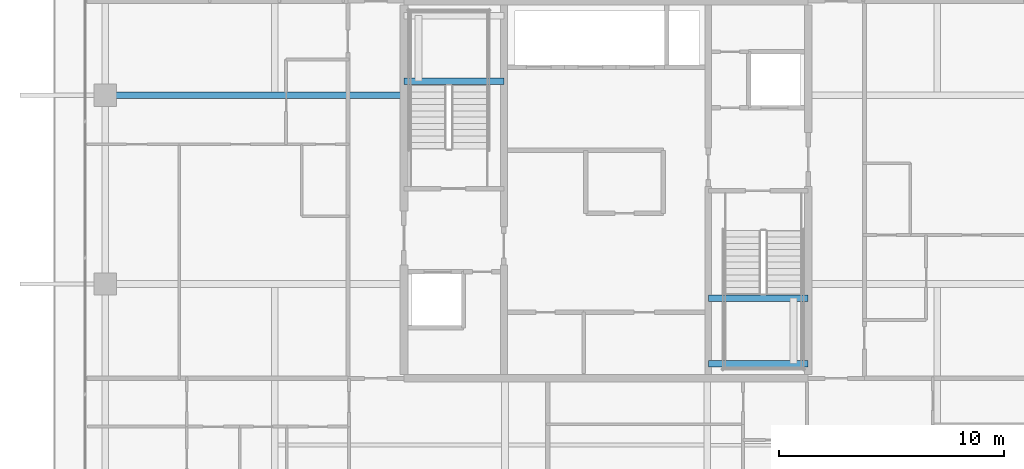
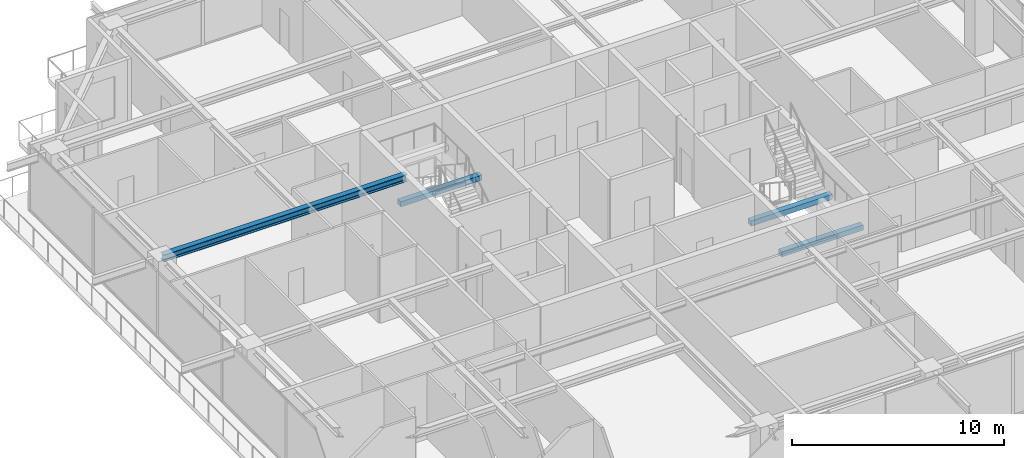
# One storey, part 10 of 41: 4 beams.
"""IFC4 building model written with IfcOpenShell, lengths in metres."""

import ifcopenshell
import ifcopenshell.guid

model = None  # the IFC model being written
_history = None  # IfcOwnerHistory: only IFC2X3 demands one
_inside = {}  # id of a spatial element -> (the spatial element, [elements in it])
_under = {}  # id of a project, library or spatial element -> (it, [spatial elements below it])
_declared = {}  # id of a project -> (the project, [libraries it declares])
_typed = {}  # id of a type object -> (the type object, [elements of that type])
_made_of = {}  # id of a material, layer set ... -> (it, [elements and type objects made of it])


def new_model(schema):
    """Start an empty IFC model of exactly this schema.

    Asked for "IFC4X3", IfcOpenShell would pick the latest addendum, in which some entities
    have other attributes; the version numbers below select the first issue.
    IFC2X3 requires an IfcOwnerHistory on every rooted entity: one is made here for all.
    """
    global model, _history
    if schema == "IFC4X3":
        model = ifcopenshell.file(schema_version=(4, 3, 0, 0))
    else:
        model = ifcopenshell.file(schema=schema)
    _inside.clear()
    _under.clear()
    _declared.clear()
    _typed.clear()
    _made_of.clear()
    _history = None
    if model.schema == "IFC2X3":
        org = make("IfcOrganization", Name="unknown")
        user = make(
            "IfcPersonAndOrganization",
            ThePerson=make("IfcPerson", FamilyName="unknown"),
            TheOrganization=org,
        )
        app = make(
            "IfcApplication",
            ApplicationDeveloper=org,
            Version="unknown",
            ApplicationFullName="unknown",
            ApplicationIdentifier="unknown",
        )
        _history = make(
            "IfcOwnerHistory",
            OwningUser=user,
            OwningApplication=app,
            ChangeAction="ADDED",
            CreationDate=0,
        )
    return model


def make(cls, **values):
    """One entity of the class cls with the attributes given. An attribute that is None is left unset."""
    return model.create_entity(
        cls, **{name: value for name, value in values.items() if value is not None}
    )


def rooted(cls, **values):
    """An entity with a GlobalId (a new one), such as an element, a storey or a relation."""
    return make(cls, GlobalId=ifcopenshell.guid.new(), OwnerHistory=_history, **values)


def si_unit(unit_type, name, prefix=None):
    """IfcSIUnit, for example si_unit("LENGTHUNIT", "METRE", prefix="MILLI")."""
    return make("IfcSIUnit", UnitType=unit_type, Prefix=prefix, Name=name)


def assignment(units):
    """IfcUnitAssignment: the units of a project."""
    return None if units is None else make("IfcUnitAssignment", Units=units)


def point(xyz):
    """IfcCartesianPoint."""
    return None if xyz is None else make("IfcCartesianPoint", Coordinates=xyz)


def direction(xyz):
    """IfcDirection."""
    return None if xyz is None else make("IfcDirection", DirectionRatios=xyz)


def frame(location, z_axis=None, x_axis=None):
    """IfcAxis2Placement3D, a coordinate frame: its origin and axes. An axis left out is left unset."""
    return make(
        "IfcAxis2Placement3D",
        Location=point(location),
        Axis=direction(z_axis),
        RefDirection=direction(x_axis),
    )


def frame_2d(location, x_axis=None):
    """IfcAxis2Placement2D, a coordinate frame in the plane: its origin and x axis."""
    return make(
        "IfcAxis2Placement2D", Location=point(location), RefDirection=direction(x_axis)
    )


def origin():
    """The frame at (0, 0, 0) with its axes left unset."""
    return frame((0.0, 0.0, 0.0))


def origin_2d():
    """The frame at (0, 0) in the plane with its x axis left unset."""
    return frame_2d((0.0, 0.0))


def place(relative_to, where):
    """IfcLocalPlacement: puts the frame where relative to a parent placement (None: the world)."""
    return make(
        "IfcLocalPlacement", PlacementRelTo=relative_to, RelativePlacement=where
    )


def context(
    kind, dimensions, precision=None, world=None, true_north=None, identifier=None
):
    """IfcGeometricRepresentationContext, for example the 3D "Model" context."""
    return make(
        "IfcGeometricRepresentationContext",
        ContextIdentifier=identifier,
        ContextType=kind,
        CoordinateSpaceDimension=dimensions,
        Precision=precision,
        WorldCoordinateSystem=world,
        TrueNorth=true_north,
    )


def subcontext(parent, identifier, kind, view, scale=None):
    """IfcGeometricRepresentationSubContext, for example "Body" below "Model"."""
    return make(
        "IfcGeometricRepresentationSubContext",
        ContextIdentifier=identifier,
        ContextType=kind,
        ParentContext=parent,
        TargetScale=scale,
        TargetView=view,
    )


def project(units=None, contexts=None):
    """IfcProject with its units and contexts."""
    return rooted(
        "IfcProject",
        Name="project",
        RepresentationContexts=contexts,
        UnitsInContext=assignment(units),
    )


def spatial(cls, under=None, at=None, **own):
    """A site, building, storey or space (cls), placed at a placement, below another one or the project."""
    s = rooted(cls, ObjectPlacement=at, **own)
    if under is not None:
        _under.setdefault(under.id(), (under, []))[1].append(s)
    return s


def profile(cls, at=None, kind="AREA", **sizes):
    """A parametric profile (cls). Its sizes go by their IFC names, for example OverallWidth=200.0."""
    return make(cls, ProfileType=kind, Position=at, **sizes)


def rectangle(**sizes):
    """IfcRectangleProfileDef."""
    return profile("IfcRectangleProfileDef", **sizes)


def i_section(**sizes):
    """IfcIShapeProfileDef."""
    return profile("IfcIShapeProfileDef", **sizes)


def extrude(swept, where, along, depth):
    """IfcExtrudedAreaSolid: the profile swept, set in the frame where, extruded along a direction by depth."""
    return make(
        "IfcExtrudedAreaSolid",
        SweptArea=swept,
        Position=where,
        ExtrudedDirection=direction(along),
        Depth=depth,
    )


def shape(context_of_items, identifier, shape_type, items):
    """IfcShapeRepresentation: the items that make up one representation, for example the "Body"."""
    return make(
        "IfcShapeRepresentation",
        ContextOfItems=context_of_items,
        RepresentationIdentifier=identifier,
        RepresentationType=shape_type,
        Items=items,
    )


def source(mapping_origin, context_of_items, identifier, shape_type, items):
    """IfcRepresentationMap: a shape defined once, which mapped items show again and again."""
    return make(
        "IfcRepresentationMap",
        MappingOrigin=mapping_origin,
        MappedRepresentation=shape(context_of_items, identifier, shape_type, items),
    )


def transform(
    local_origin,
    x_axis=None,
    y_axis=None,
    z_axis=None,
    scale=None,
    scale2=None,
    scale3=None,
    uniform=True,
):
    """IfcCartesianTransformationOperator3D, or its non-uniform kind. x_axis, y_axis, z_axis: its Axis1, 2, 3."""
    if uniform:
        return make(
            "IfcCartesianTransformationOperator3D",
            Axis1=direction(x_axis),
            Axis2=direction(y_axis),
            LocalOrigin=point(local_origin),
            Scale=scale,
            Axis3=direction(z_axis),
        )
    return make(
        "IfcCartesianTransformationOperator3DnonUniform",
        Axis1=direction(x_axis),
        Axis2=direction(y_axis),
        LocalOrigin=point(local_origin),
        Scale=scale,
        Axis3=direction(z_axis),
        Scale2=scale2,
        Scale3=scale3,
    )


def mapped(mapping_source, mapping_target):
    """IfcMappedItem: shows the shape of a source again, moved by a transform."""
    return make(
        "IfcMappedItem", MappingSource=mapping_source, MappingTarget=mapping_target
    )


def material(Name=None, Category=None):
    """IfcMaterial."""
    return make("IfcMaterial", Name=Name, Category=Category)


def material_profile(
    of_material, cross_section, Name=None, Category=None, Priority=None
):
    """IfcMaterialProfile: a cross section and its material."""
    return make(
        "IfcMaterialProfile",
        Name=Name,
        Material=of_material,
        Profile=cross_section,
        Priority=Priority,
        Category=Category,
    )


def profile_set(profiles, Name=None, composite=None):
    """IfcMaterialProfileSet."""
    return make(
        "IfcMaterialProfileSet",
        Name=Name,
        MaterialProfiles=profiles,
        CompositeProfile=composite,
    )


def made_of(thing, what):
    """Note that an element or type object is made of a material, layer set ...; save() writes the relation."""
    if what is not None:
        _made_of.setdefault(what.id(), (what, []))[1].append(thing)
    return thing


def type_object(cls, material=None, **own):
    """A type object (cls), such as IfcWallType, which elements share."""
    return made_of(rooted(cls, **own), material)


def element(
    cls,
    number,
    at=None,
    inside=None,
    cuts=None,
    type_object=None,
    material=None,
    context=None,
    identifier="Body",
    shape_type=None,
    held_by="IfcProductDefinitionShape",
    body=None,
    shapes=None,
    **own,
):
    """One element of the class cls, such as IfcWall. Its Tag is "e" and its number.

    at: its placement. inside: the storey or other place that contains it. cuts: it is an
    opening in that element (IfcRelVoidsElement). A single representation is given by context,
    identifier, shape_type and body (its items); several are given by shapes. held_by: the class
    of the entity that holds the representations. save() writes the other relations.
    """
    e = rooted(cls, Tag="e%d" % number, ObjectPlacement=at, **own)
    if body is not None:
        shapes = [shape(context, identifier, shape_type, body)]
    if shapes is not None:
        e.Representation = make(held_by, Representations=shapes)
    if inside is not None:
        _inside.setdefault(inside.id(), (inside, []))[1].append(e)
    if cuts is not None:
        rooted(
            "IfcRelVoidsElement", RelatingBuildingElement=cuts, RelatedOpeningElement=e
        )
    if type_object is not None:
        _typed.setdefault(type_object.id(), (type_object, []))[1].append(e)
    return made_of(e, material)


def aggregate(whole, parts):
    """IfcRelAggregates: a whole, such as a stair, and the parts it consists of."""
    return rooted("IfcRelAggregates", RelatingObject=whole, RelatedObjects=parts)


def save(model, path):
    """Write the relations noted so far, then the file.

    IfcRelAggregates (storeys below a building ...), IfcRelContainedInSpatialStructure (elements
    in a storey), IfcRelDefinesByType, IfcRelAssociatesMaterial and IfcRelDeclares: one each for
    every whole, place, type object, material and project.
    """
    for whole, parts in _under.values():
        aggregate(whole, parts)
    for where, things in _inside.values():
        rooted(
            "IfcRelContainedInSpatialStructure",
            RelatedElements=things,
            RelatingStructure=where,
        )
    for kind, things in _typed.values():
        rooted("IfcRelDefinesByType", RelatedObjects=things, RelatingType=kind)
    for what, things in _made_of.values():
        rooted("IfcRelAssociatesMaterial", RelatedObjects=things, RelatingMaterial=what)
    for by, libraries in _declared.values():
        rooted("IfcRelDeclares", RelatingContext=by, RelatedDefinitions=libraries)
    model.write(path)


model = new_model("IFC4")

# Units and contexts
model_context = context("Model", 3, precision=1e-05, world=origin(), true_north=direction((0.0, 1.0)))
body_context = subcontext(model_context, "Body", "Model", "MODEL_VIEW")
ifc_project = project(units=[si_unit("LENGTHUNIT", "METRE"), si_unit("AREAUNIT", "SQUARE_METRE"), si_unit("VOLUMEUNIT", "CUBIC_METRE"), si_unit("PLANEANGLEUNIT", "RADIAN"), si_unit("MASSUNIT", "GRAM", prefix="KILO")], contexts=[model_context])

# Site, building, storey
site_placement = place(None, origin())
site = spatial("IfcSite", under=ifc_project, at=site_placement, CompositionType="ELEMENT")
building_placement = place(site_placement, origin())
building = spatial("IfcBuilding", under=site, at=building_placement, Name="Serunith Strait Residences", CompositionType="ELEMENT")
storey_placement = place(building_placement, frame((0.0, 0.0, 301.550048828125)))
storey = spatial("IfcBuildingStorey", under=building, at=storey_placement, Name="L75", CompositionType="ELEMENT", Elevation=301.550048828125)

# Beams
ifc_material_1 = material(Name="Steel S355J2", Category="steel")
ifc_material_profile_1 = material_profile(ifc_material_1, i_section(OverallWidth=0.300048828125, OverallDepth=0.39990234375, WebThickness=0.013427734375, FlangeThickness=0.02392578125, FilletRadius=0.027099609375, at=origin_2d()), Name="HEB 400")
ifc_profile_set_1 = profile_set([ifc_material_profile_1], Name="Steel S355J2")
beam_type_1 = type_object("IfcBeamType", Name="BM-HEB400", PredefinedType="BEAM", material=ifc_profile_set_1)
shared_shape_1 = source(origin(), body_context, "Body", "SweptSolid", [
    extrude(i_section(OverallWidth=0.300048828125, OverallDepth=0.39990234375, WebThickness=0.013427734375, FlangeThickness=0.02392578125, FilletRadius=0.027099609375, at=origin_2d()), origin(), (0.0, 0.0, 1.0), 13.2998046875),
])
beam_1_placement = place(storey_placement, frame((23.39990234375, 29.39990234375, 3.5869140625), z_axis=(-1.0, 0.0, 0.0), x_axis=(0.0, -1.0, 0.0)))
element("IfcBeam", 1, at=beam_1_placement, inside=storey, type_object=beam_type_1, Name="L75 Primary Floor Girder TC-W3", PredefinedType="BEAM", context=body_context, shape_type="MappedRepresentation", body=[
    mapped(shared_shape_1, transform((0.0, 0.0, 0.0), scale=1.0)),
])
ifc_material_2 = material(Name="Concrete C60/75", Category="concrete")
ifc_material_profile_2 = material_profile(ifc_material_2, rectangle(XDim=0.300048828125, YDim=0.300048828125, at=origin_2d()), Name="RC 300x300")
ifc_profile_set_2 = profile_set([ifc_material_profile_2], Name="Concrete C60/75")
beam_type_2 = type_object("IfcBeamType", Name="BM-LAND-300x300", PredefinedType="BEAM", material=ifc_profile_set_2)
shared_shape_2 = source(origin(), body_context, "Body", "SweptSolid", [
    extrude(rectangle(XDim=0.300048828125, YDim=0.300048828125, at=origin_2d()), origin(), (0.0, 0.0, 1.0), 4.4501953125),
])
beam_2_placement = place(storey_placement, frame((23.39990234375, 30.030029296875, 1.675048828125), z_axis=(1.0, 0.0, 0.0), x_axis=(0.0, 1.0, 0.0)))
element("IfcBeam", 2, at=beam_2_placement, inside=storey, type_object=beam_type_2, Name="L75 ST-1 Landing Support Beam 1", PredefinedType="BEAM", context=body_context, shape_type="MappedRepresentation", body=[
    mapped(shared_shape_2, transform((0.0, 0.0, 0.0), scale=1.0)),
])
shared_shape_3 = source(origin(), body_context, "Body", "SweptSolid", [
    extrude(rectangle(XDim=0.300048828125, YDim=0.300048828125, at=origin_2d()), origin(), (0.0, 0.0, 1.0), 4.449951171875),
])
for number, where, z_axis, x_axis, name in (
    (3, (36.949951171875, 17.449951171875, 1.675048828125), (1.0, 0.0, 0.0), (0.0, 1.0, 0.0), "L75 ST-2 Landing Support Beam 1"),
    (4, (36.949951171875, 20.3701171875, 1.675048828125), (1.0, 0.0, 0.0), (0.0, 1.0, 0.0), "L75 ST-2 Landing Support Beam 2"),
):
    element("IfcBeam", number, at=place(storey_placement, frame(where, z_axis=z_axis, x_axis=x_axis)), inside=storey, type_object=beam_type_2, Name=name, PredefinedType="BEAM", context=body_context, shape_type="MappedRepresentation", body=[
        mapped(shared_shape_3, transform((0.0, 0.0, 0.0), scale=1.0)),
    ])

save(model, "model.ifc")
